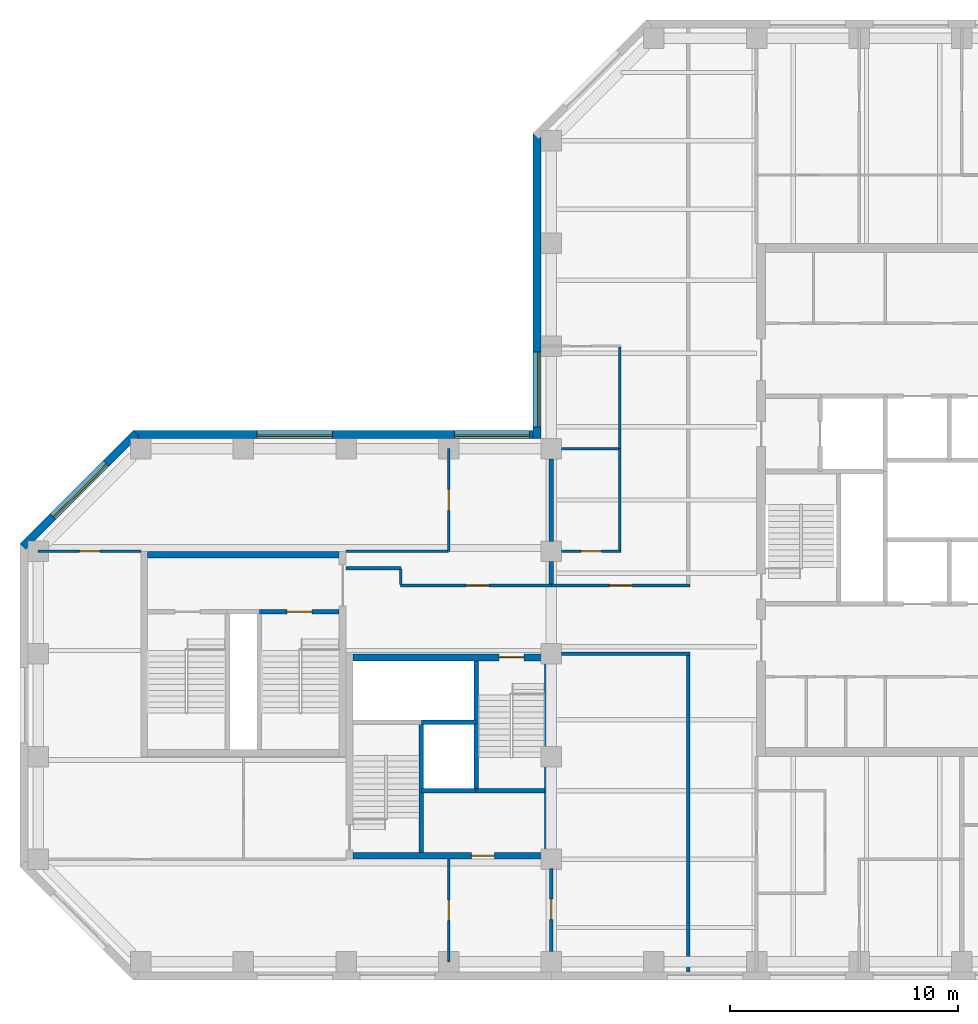
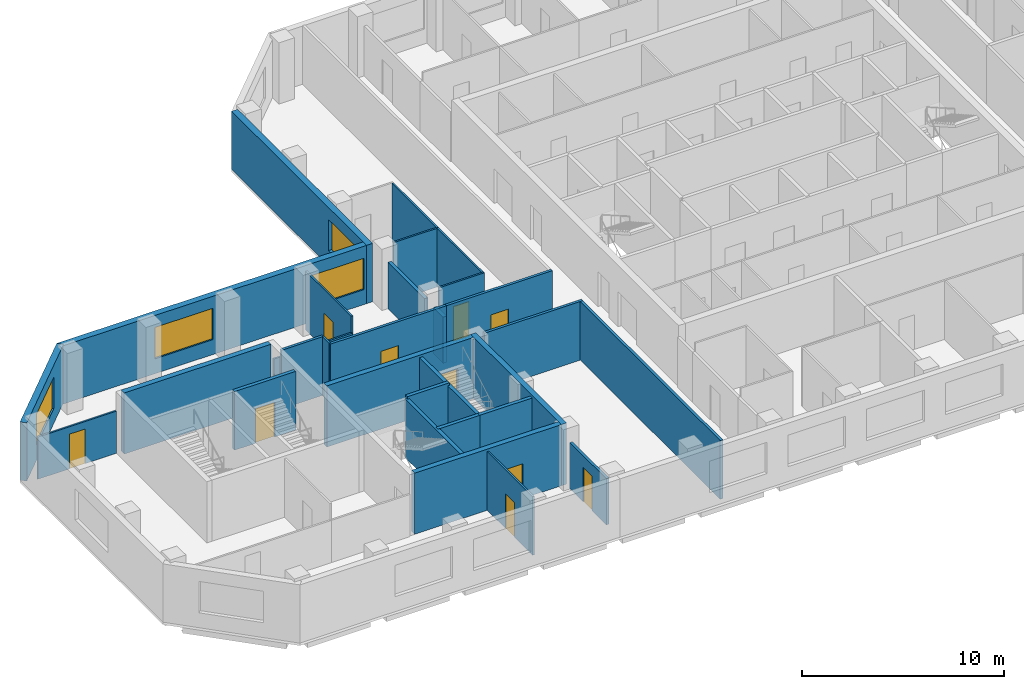
# One storey, part 3 of 9: 30 walls, 10 doors, 4 windows, 14 openings.
"""IFC4 building model written with IfcOpenShell, lengths in metres."""

from ifc_helpers import new_model, si_unit, direction, frame, frame_2d, origin, place, context, subcontext, project, spatial, rectangle, extrude, material, layer, layer_set, constituent, constituent_set, type_object, element, fill, save


model = new_model("IFC4")

# Units and contexts
model_context = context("Model", 3, precision=1e-05, world=origin(), true_north=direction((0.0, 1.0)))
body_context = subcontext(model_context, "Body", "Model", "MODEL_VIEW")
ifc_project = project(units=[si_unit("LENGTHUNIT", "METRE"), si_unit("AREAUNIT", "SQUARE_METRE"), si_unit("VOLUMEUNIT", "CUBIC_METRE"), si_unit("PLANEANGLEUNIT", "RADIAN"), si_unit("MASSUNIT", "GRAM", prefix="KILO")], contexts=[model_context])

# Site, building, storey
site_placement = place(None, origin())
site = spatial("IfcSite", under=ifc_project, at=site_placement, CompositionType="ELEMENT")
building_placement = place(site_placement, origin())
building = spatial("IfcBuilding", under=site, at=building_placement, Name="Quoin Convention Tower", CompositionType="ELEMENT")
storey_placement = place(building_placement, frame((0.0, 0.0, 237.800048828125)))
storey = spatial("IfcBuildingStorey", under=building, at=storey_placement, Name="L62", CompositionType="ELEMENT", Elevation=237.800048828125)

# Wall, opening, window
ifc_material_1 = material(Name="Brick masonry", Category="masonry")
ifc_layer_1 = layer(ifc_material_1, 0.35009765625)
ifc_layer_set_1 = layer_set([ifc_layer_1], Name="Brick masonry")
wall_type_1 = type_object("IfcWallType", Name="Brick facade wall", PredefinedType="STANDARD", material=ifc_layer_set_1)
wall_1_placement = place(storey_placement, frame((35.375, 76.831298828125, 0.0), z_axis=(0.0, 0.0, 1.0), x_axis=(0.0, -1.0, 0.0)))
wall_1 = element("IfcWall", 1, at=wall_1_placement, inside=storey, type_object=wall_type_1, Name="fw-L62-36000_76500", PredefinedType="STANDARD", context=body_context, shape_type="SweptSolid", body=[
    extrude(rectangle(XDim=13.38134765625, YDim=0.35009765625, at=frame_2d((6.690673828125, 0.0))), origin(), (0.0, 0.0, 1.0), 3.52490234375),
])
opening_1_placement = place(wall_1_placement, frame((9.581298828125, 0.0, 0.89990234375)))
opening_1 = element("IfcOpeningElement", 2, at=opening_1_placement, cuts=wall_1, Name="Opening W-02", PredefinedType="OPENING", context=body_context, shape_type="SweptSolid", body=[
    extrude(rectangle(XDim=3.300048828125, YDim=1.89990234375, at=frame_2d((1.64990234375, 0.949951171875))), frame((0.0, 0.18505859375, 0.0), z_axis=(0.0, -1.0, 0.0), x_axis=(1.0, 0.0, 0.0)), (0.0, 0.0, 1.0), 0.3701171875),
])
ifc_material_2 = material(Name="Aluminium", Category="aluminium")
ifc_constituent_1 = constituent(ifc_material_2, Name="Frame")
ifc_material_3 = material(Name="Insulated glass", Category="glass")
ifc_constituent_2 = constituent(ifc_material_3, Name="Glazing")
ifc_constituent_set = constituent_set(constituents=[ifc_constituent_1, ifc_constituent_2], Name="Aluminium")
window_type = type_object("IfcWindowType", Name="Office window", PartitioningType="DOUBLE_PANEL_VERTICAL", PredefinedType="WINDOW", material=ifc_constituent_set)
window_1_placement = place(opening_1_placement, origin())
window_1 = element("IfcWindow", 3, at=window_1_placement, inside=storey, type_object=window_type, Name="win-L62-35375_65250", OverallHeight=1.89990234375, OverallWidth=3.300048828125, PartitioningType="SINGLE_PANEL", PredefinedType="WINDOW", context=body_context, shape_type="SweptSolid", body=[
    extrude(rectangle(XDim=3.300048828125, YDim=1.89990234375, at=frame_2d((1.64990234375, 0.949951171875))), frame((0.0, 0.0849609375, 0.0), z_axis=(0.0, -1.0, 0.0), x_axis=(1.0, 0.0, 0.0)), (0.0, 0.0, 1.0), 0.06005859375),
])
fill(opening_1, window_1)

# Wall, openings, windows
wall_2_placement = place(storey_placement, frame((35.550048828125, 63.625, 0.0), z_axis=(0.0, 0.0, 1.0), x_axis=(-1.0, 0.0, 0.0)))
wall_2 = element("IfcWall", 4, at=wall_2_placement, inside=storey, type_object=wall_type_1, Name="fw-L62-36000_63000", PredefinedType="STANDARD", context=body_context, shape_type="SweptSolid", body=[
    extrude(rectangle(XDim=17.88134765625, YDim=0.35009765625, at=frame_2d((8.940673828125, 0.0))), origin(), (0.0, 0.0, 1.0), 3.52490234375),
])
opening_2_placement = place(wall_2_placement, frame((0.5, 0.0, 0.89990234375)))
opening_2 = element("IfcOpeningElement", 5, at=opening_2_placement, cuts=wall_2, Name="Opening W-02", PredefinedType="OPENING", context=body_context, shape_type="SweptSolid", body=[
    extrude(rectangle(XDim=3.300048828125, YDim=1.89990234375, at=frame_2d((1.64990234375, 0.949951171875))), frame((0.0, 0.18505859375, 0.0), z_axis=(0.0, -1.0, 0.0), x_axis=(1.0, 0.0, 0.0)), (0.0, 0.0, 1.0), 0.3701171875),
])
opening_3_placement = place(wall_2_placement, frame((9.14990234375, 0.0, 0.89990234375)))
opening_3 = element("IfcOpeningElement", 6, at=opening_3_placement, cuts=wall_2, Name="Opening W-02", PredefinedType="OPENING", context=body_context, shape_type="SweptSolid", body=[
    extrude(rectangle(XDim=3.300048828125, YDim=1.89990234375, at=frame_2d((1.64990234375, 0.949951171875))), frame((0.0, 0.18505859375, 0.0), z_axis=(0.0, -1.0, 0.0), x_axis=(1.0, 0.0, 0.0)), (0.0, 0.0, 1.0), 0.3701171875),
])
window_2_placement = place(opening_2_placement, origin())
window_2 = element("IfcWindow", 7, at=window_2_placement, inside=storey, type_object=window_type, Name="win-L62-33750_63625", OverallHeight=1.89990234375, OverallWidth=3.300048828125, PartitioningType="SINGLE_PANEL", PredefinedType="WINDOW", context=body_context, shape_type="SweptSolid", body=[
    extrude(rectangle(XDim=3.300048828125, YDim=1.89990234375, at=frame_2d((1.64990234375, 0.949951171875))), frame((0.0, 0.0849609375, 0.0), z_axis=(0.0, -1.0, 0.0), x_axis=(1.0, 0.0, 0.0)), (0.0, 0.0, 1.0), 0.06005859375),
])
fill(opening_2, window_2)
window_3_placement = place(opening_3_placement, origin())
window_3 = element("IfcWindow", 8, at=window_3_placement, inside=storey, type_object=window_type, Name="win-L62-24750_63625", OverallHeight=1.89990234375, OverallWidth=3.300048828125, PartitioningType="SINGLE_PANEL", PredefinedType="WINDOW", context=body_context, shape_type="SweptSolid", body=[
    extrude(rectangle(XDim=3.300048828125, YDim=1.89990234375, at=frame_2d((1.64990234375, 0.949951171875))), frame((0.0, 0.0849609375, 0.0), z_axis=(0.0, -1.0, 0.0), x_axis=(1.0, 0.0, 0.0)), (0.0, 0.0, 1.0), 0.06005859375),
])
fill(opening_3, window_3)

# Wall, opening, window
wall_3_placement = place(storey_placement, frame((17.79248046875, 63.67626953125, 0.0), z_axis=(0.0, 0.0, 1.0), x_axis=(-0.707106781187, -0.707106781187, 0.0)))
wall_3 = element("IfcWall", 9, at=wall_3_placement, inside=storey, type_object=wall_type_1, Name="fw-L62-18000_63000", PredefinedType="STANDARD", context=body_context, shape_type="SweptSolid", body=[
    extrude(rectangle(XDim=7.02685546875, YDim=0.35009765625, at=frame_2d((3.513427734375, 0.0))), origin(), (0.0, 0.0, 1.0), 3.52490234375),
])
opening_4_placement = place(wall_3_placement, frame((1.86328125, 0.0, 0.89990234375)))
opening_4 = element("IfcOpeningElement", 10, at=opening_4_placement, cuts=wall_3, Name="Opening W-02", PredefinedType="OPENING", context=body_context, shape_type="SweptSolid", body=[
    extrude(rectangle(XDim=3.300048828125, YDim=1.89990234375, at=frame_2d((1.64990234375, 0.949951171875))), frame((0.0, 0.18505859375, 0.0), z_axis=(0.0, -1.0, 0.0), x_axis=(1.0, 0.0, 0.0)), (0.0, 0.0, 1.0), 0.3701171875),
])
window_4_placement = place(opening_4_placement, origin())
window_4 = element("IfcWindow", 11, at=window_4_placement, inside=storey, type_object=window_type, Name="win-L62-15308_61192", OverallHeight=1.89990234375, OverallWidth=3.300048828125, PartitioningType="SINGLE_PANEL", PredefinedType="WINDOW", context=body_context, shape_type="SweptSolid", body=[
    extrude(rectangle(XDim=3.300048828125, YDim=1.89990234375, at=frame_2d((1.64990234375, 0.949951171875))), frame((0.0, 0.0849609375, 0.0), z_axis=(0.0, -1.0, 0.0), x_axis=(1.0, 0.0, 0.0)), (0.0, 0.0, 1.0), 0.06005859375),
])
fill(opening_4, window_4)

# Walls
ifc_material_4 = material(Name="Concrete C50", Category="concrete")
ifc_layer_2 = layer(ifc_material_4, 0.199951171875)
ifc_layer_set_2 = layer_set([ifc_layer_2], Name="Concrete C50")
wall_type_2 = type_object("IfcWallType", Name="Core shaft wall", PredefinedType="SOLIDWALL", material=ifc_layer_set_2)
wall_4_placement = place(storey_placement, frame((30.300048828125, 48.0, 0.0), z_axis=(0.0, 0.0, 1.0), x_axis=(1.0, 0.0, 0.0)))
element("IfcWall", 12, at=wall_4_placement, inside=storey, type_object=wall_type_2, Name="cr-P2-L62-h3000_3300", PredefinedType="SOLIDWALL", context=body_context, shape_type="SweptSolid", body=[
    extrude(rectangle(XDim=2.39990234375, YDim=0.199951171875, at=frame_2d((1.199951171875, 0.0))), origin(), (0.0, 0.0, 1.0), 3.550048828125),
])
wall_5_placement = place(storey_placement, frame((32.699951171875, 48.0, 0.0), z_axis=(0.0, 0.0, 1.0), x_axis=(1.0, 0.0, 0.0)))
element("IfcWall", 13, at=wall_5_placement, inside=storey, type_object=wall_type_2, Name="cr-P2-L62-h3000_5700", PredefinedType="SOLIDWALL", context=body_context, shape_type="SweptSolid", body=[
    extrude(rectangle(XDim=3.0, YDim=0.199951171875, at=frame_2d((1.5, 0.0))), origin(), (0.0, 0.0, 1.0), 3.550048828125),
])
for number, where, z_axis, x_axis, name in (
    (14, (30.300048828125, 45.300048828125, 0.0), (0.0, 0.0, 1.0), (0.0, 1.0, 0.0), "cr-P2-L62-v3300_300"),
    (15, (32.699951171875, 48.0, 0.0), (0.0, 0.0, 1.0), (0.0, 1.0, 0.0), "cr-P2-L62-v5700_3000"),
):
    element("IfcWall", number, at=place(storey_placement, frame(where, z_axis=z_axis, x_axis=x_axis)), inside=storey, type_object=wall_type_2, Name=name, PredefinedType="SOLIDWALL", context=body_context, shape_type="SweptSolid", body=[
        extrude(rectangle(XDim=5.699951171875, YDim=0.199951171875, at=frame_2d((2.85009765625, 0.0))), origin(), (0.0, 0.0, 1.0), 3.550048828125),
    ])

# Wall, opening, door
wall_6_placement = place(storey_placement, frame((23.199951171875, 55.85009765625, 0.0), z_axis=(0.0, 0.0, 1.0), x_axis=(1.0, 0.0, 0.0)))
wall_6 = element("IfcWall", 16, at=wall_6_placement, inside=storey, type_object=wall_type_2, Name="cr-P6-L62-h6350_5200", PredefinedType="SOLIDWALL", context=body_context, shape_type="SweptSolid", body=[
    extrude(rectangle(XDim=3.5, YDim=0.199951171875, at=frame_2d((1.75, 0.0))), origin(), (0.0, 0.0, 1.0), 3.550048828125),
])
opening_5_placement = place(wall_6_placement, frame((1.199951171875, 0.0, 0.0)))
opening_5 = element("IfcOpeningElement", 17, at=opening_5_placement, cuts=wall_6, Name="Opening SD12", PredefinedType="OPENING", context=body_context, shape_type="SweptSolid", body=[
    extrude(rectangle(XDim=1.10009765625, YDim=2.10009765625, at=frame_2d((0.550048828125, 1.050048828125))), frame((0.0, 0.10986328125, 0.0), z_axis=(0.0, -1.0, 0.0), x_axis=(1.0, 0.0, 0.0)), (0.0, 0.0, 1.0), 0.219970703125),
])
ifc_material_5 = material(Name="Steel door leaf", Category="steel")
door_type_1 = type_object("IfcDoorType", Name="Stair door 1100 x 2100", OperationType="SINGLE_SWING_RIGHT", PredefinedType="DOOR", material=ifc_material_5)
door_1_placement = place(opening_5_placement, origin())
door_1 = element("IfcDoor", 18, at=door_1_placement, inside=storey, type_object=door_type_1, Name="cd-P6-L62-SB-R2-SD12", OperationType="SINGLE_SWING_RIGHT", OverallHeight=2.10009765625, OverallWidth=1.10009765625, PredefinedType="DOOR", context=body_context, shape_type="SweptSolid", body=[
    extrude(rectangle(XDim=1.10009765625, YDim=2.10009765625, at=frame_2d((0.550048828125, 1.050048828125))), frame((0.0, 0.02490234375, 0.0), z_axis=(0.0, -1.0, 0.0), x_axis=(1.0, 0.0, 0.0)), (0.0, 0.0, 1.0), 0.050048828125),
])
fill(opening_5, door_1)

# Walls
ifc_layer_3 = layer(ifc_material_4, 0.199951171875)
ifc_layer_set_3 = layer_set([ifc_layer_3], Name="Concrete C50")
wall_type_3 = type_object("IfcWallType", Name="Core shaft wall to the floor level over", PredefinedType="SOLIDWALL", material=ifc_layer_set_3)
wall_7_placement = place(storey_placement, frame((30.300048828125, 51.0, 0.0), z_axis=(0.0, 0.0, 1.0), x_axis=(1.0, 0.0, 0.0)))
element("IfcWall", 19, at=wall_7_placement, inside=storey, type_object=wall_type_3, Name="cr-P2-L62-h6000_3300", PredefinedType="SOLIDWALL", context=body_context, shape_type="SweptSolid", body=[
    extrude(rectangle(XDim=2.39990234375, YDim=0.199951171875, at=frame_2d((1.199951171875, 0.0))), origin(), (0.0, 0.0, 1.0), 3.699951171875),
])
ifc_material_6 = material(Name="Plasterboard")
ifc_layer_4 = layer(ifc_material_6, 0.012451171875, Name="Finish")
ifc_material_7 = material(Name="Steel stud framing", Category="steel")
ifc_layer_5 = layer(ifc_material_7, 0.125, Name="Structure")
ifc_layer_6 = layer(ifc_material_6, 0.012451171875, Name="Finish")
ifc_layer_set_4 = layer_set([ifc_layer_4, ifc_layer_5, ifc_layer_6], Name="Steel stud framing")
wall_type_4 = type_object("IfcWallType", Name="Corridor wall 150", PredefinedType="PARTITIONING", material=ifc_layer_set_4)
wall_8_placement = place(storey_placement, frame((36.449951171875, 54.0, 0.0), z_axis=(0.0, 0.0, 1.0), x_axis=(1.0, 0.0, 0.0)))
element("IfcWall", 20, at=wall_8_placement, inside=storey, type_object=wall_type_4, Name="pw-L62-016", PredefinedType="PARTITIONING", context=body_context, shape_type="SweptSolid", body=[
    extrude(rectangle(XDim=5.625, YDim=0.14990234375, at=frame_2d((2.8125, 0.0))), origin(), (0.0, 0.0, 1.0), 3.550048828125),
])

# Wall, opening, door
wall_9_placement = place(storey_placement, frame((29.3798828125, 57.0, 0.0), z_axis=(0.0, 0.0, 1.0), x_axis=(1.0, 0.0, 0.0)))
wall_9 = element("IfcWall", 21, at=wall_9_placement, inside=storey, type_object=wall_type_4, Name="pw-L62-018", PredefinedType="PARTITIONING", context=body_context, shape_type="SweptSolid", body=[
    extrude(rectangle(XDim=6.6201171875, YDim=0.14990234375, at=frame_2d((3.31005859375, 0.0))), origin(), (0.0, 0.0, 1.0), 3.550048828125),
])
opening_6_placement = place(wall_9_placement, frame((2.8798828125, 0.0, 0.0)))
opening_6 = element("IfcOpeningElement", 22, at=opening_6_placement, cuts=wall_9, Name="Opening DOH11-03", PredefinedType="OPENING", context=body_context, shape_type="SweptSolid", body=[
    extrude(rectangle(XDim=1.0, YDim=2.10009765625, at=frame_2d((0.5, 1.050048828125))), frame((0.0, 0.0849609375, 0.0), z_axis=(0.0, -1.0, 0.0), x_axis=(1.0, 0.0, 0.0)), (0.0, 0.0, 1.0), 0.169921875),
])
door_type_2 = type_object("IfcDoorType", Name="Tenancy entrance door 1000 x 2100", OperationType="DOUBLE_DOOR_SINGLE_SWING", PredefinedType="DOOR", material=ifc_material_5)
door_2_placement = place(opening_6_placement, origin())
door_2 = element("IfcDoor", 23, at=door_2_placement, inside=storey, type_object=door_type_2, Name="dr-L62-w01", OperationType="DOUBLE_DOOR_SINGLE_SWING", OverallHeight=2.10009765625, OverallWidth=1.0, PredefinedType="DOOR", context=body_context, shape_type="SweptSolid", body=[
    extrude(rectangle(XDim=1.0, YDim=2.10009765625, at=frame_2d((0.5, 1.050048828125))), frame((0.0, 0.02490234375, 0.0), z_axis=(0.0, -1.0, 0.0), x_axis=(1.0, 0.0, 0.0)), (0.0, 0.0, 1.0), 0.050048828125),
])
fill(opening_6, door_2)

wall_10_placement = place(storey_placement, frame((36.0, 57.0, 0.0), z_axis=(0.0, 0.0, 1.0), x_axis=(1.0, 0.0, 0.0)))
wall_10 = element("IfcWall", 24, at=wall_10_placement, inside=storey, type_object=wall_type_4, Name="pw-L62-019", PredefinedType="PARTITIONING", context=body_context, shape_type="SweptSolid", body=[
    extrude(rectangle(XDim=6.074951171875, YDim=0.14990234375, at=frame_2d((3.03759765625, 0.0))), origin(), (0.0, 0.0, 1.0), 3.550048828125),
])
opening_7_placement = place(wall_10_placement, frame((2.550048828125, 0.0, 0.0)))
opening_7 = element("IfcOpeningElement", 25, at=opening_7_placement, cuts=wall_10, Name="Opening DOH11-04", PredefinedType="OPENING", context=body_context, shape_type="SweptSolid", body=[
    extrude(rectangle(XDim=1.0, YDim=2.10009765625, at=frame_2d((0.5, 1.050048828125))), frame((0.0, 0.0849609375, 0.0), z_axis=(0.0, -1.0, 0.0), x_axis=(1.0, 0.0, 0.0)), (0.0, 0.0, 1.0), 0.169921875),
])
door_3_placement = place(opening_7_placement, origin())
door_3 = element("IfcDoor", 26, at=door_3_placement, inside=storey, type_object=door_type_2, Name="dr-L62-07", OperationType="DOUBLE_DOOR_SINGLE_SWING", OverallHeight=2.10009765625, OverallWidth=1.0, PredefinedType="DOOR", context=body_context, shape_type="SweptSolid", body=[
    extrude(rectangle(XDim=1.0, YDim=2.10009765625, at=frame_2d((0.5, 1.050048828125))), frame((0.0, 0.02490234375, 0.0), z_axis=(0.0, -1.0, 0.0), x_axis=(1.0, 0.0, 0.0)), (0.0, 0.0, 1.0), 0.050048828125),
])
fill(opening_7, door_3)

# Walls
wall_11_placement = place(storey_placement, frame((42.0, 40.050048828125, 0.0), z_axis=(0.0, 0.0, 1.0), x_axis=(0.0, 1.0, 0.0)))
element("IfcWall", 27, at=wall_11_placement, inside=storey, type_object=wall_type_4, Name="pw-L62-035", PredefinedType="PARTITIONING", context=body_context, shape_type="SweptSolid", body=[
    extrude(rectangle(XDim=13.875, YDim=0.14990234375, at=frame_2d((6.9375, 0.0))), origin(), (0.0, 0.0, 1.0), 3.550048828125),
])
wall_12_placement = place(storey_placement, frame((27.0, 57.75, 0.0), z_axis=(0.0, 0.0, 1.0), x_axis=(1.0, 0.0, 0.0)))
element("IfcWall", 28, at=wall_12_placement, inside=storey, type_object=wall_type_4, Name="pw-L62-w08", PredefinedType="PARTITIONING", context=body_context, shape_type="SweptSolid", body=[
    extrude(rectangle(XDim=2.39990234375, YDim=0.14990234375, at=frame_2d((1.199951171875, 0.0))), origin(), (0.0, 0.0, 1.0), 3.550048828125),
])

# Wall, opening, door
ifc_layer_7 = layer(ifc_material_6, 0.012451171875, Name="Finish")
ifc_layer_8 = layer(ifc_material_7, 0.125, Name="Structure")
ifc_layer_9 = layer(ifc_material_6, 0.012451171875, Name="Finish")
ifc_layer_set_5 = layer_set([ifc_layer_7, ifc_layer_8, ifc_layer_9], Name="Steel stud framing")
wall_type_5 = type_object("IfcWallType", Name="Corridor wall 150 under beam 750", PredefinedType="PARTITIONING", material=ifc_layer_set_5)
wall_13_placement = place(storey_placement, frame((36.0, 40.949951171875, 0.0), z_axis=(0.0, 0.0, 1.0), x_axis=(0.0, 1.0, 0.0)))
wall_13 = element("IfcWall", 29, at=wall_13_placement, inside=storey, type_object=wall_type_5, Name="pw-L62-043", PredefinedType="PARTITIONING", context=body_context, shape_type="SweptSolid", body=[
    extrude(rectangle(XDim=3.630126953125, YDim=0.14990234375, at=frame_2d((1.81494140625, 0.0))), origin(), (0.0, 0.0, 1.0), 2.800048828125),
])
opening_8_placement = place(wall_13_placement, frame((1.39990234375, 0.0, 0.0)))
opening_8 = element("IfcOpeningElement", 30, at=opening_8_placement, cuts=wall_13, Name="Opening DOH11-11", PredefinedType="OPENING", context=body_context, shape_type="SweptSolid", body=[
    extrude(rectangle(XDim=0.89990234375, YDim=2.10009765625, at=frame_2d((0.449951171875, 1.050048828125))), frame((0.0, 0.0849609375, 0.0), z_axis=(0.0, -1.0, 0.0), x_axis=(1.0, 0.0, 0.0)), (0.0, 0.0, 1.0), 0.169921875),
])
door_type_3 = type_object("IfcDoorType", Name="Office door 900 x 2100", OperationType="SINGLE_SWING_RIGHT", PredefinedType="DOOR", material=ifc_material_5)
door_4_placement = place(opening_8_placement, frame((0.89990234375, 0.0, 0.0), z_axis=(0.0, 0.0, 1.0), x_axis=(-1.0, 0.0, 0.0)))
door_4 = element("IfcDoor", 31, at=door_4_placement, inside=storey, type_object=door_type_3, Name="dr-L62-01", OperationType="SINGLE_SWING_LEFT", OverallHeight=2.10009765625, OverallWidth=0.89990234375, PredefinedType="DOOR", context=body_context, shape_type="SweptSolid", body=[
    extrude(rectangle(XDim=0.89990234375, YDim=2.10009765625, at=frame_2d((0.449951171875, 1.050048828125))), frame((0.0, 0.02490234375, 0.0), z_axis=(0.0, -1.0, 0.0), x_axis=(1.0, 0.0, 0.0)), (0.0, 0.0, 1.0), 0.050048828125),
])
fill(opening_8, door_4)

ifc_layer_10 = layer(ifc_material_4, 0.300048828125)
ifc_layer_set_6 = layer_set([ifc_layer_10], Name="Concrete C50")
wall_type_6 = type_object("IfcWallType", Name="RC CORE WALL 300 C50", PredefinedType="SHEAR", material=ifc_layer_set_6)
wall_14_placement = place(storey_placement, frame((27.300048828125, 45.14990234375, 0.0), z_axis=(0.0, 0.0, 1.0), x_axis=(1.0, 0.0, 0.0)))
wall_14 = element("IfcWall", 32, at=wall_14_placement, inside=storey, type_object=wall_type_6, Name="cwl-P2-L62-S", PredefinedType="SHEAR", context=body_context, shape_type="SweptSolid", body=[
    extrude(rectangle(XDim=8.39990234375, YDim=0.300048828125, at=frame_2d((4.199951171875, 0.0))), origin(), (0.0, 0.0, 1.0), 3.699951171875),
])
opening_9_placement = place(wall_14_placement, frame((5.199951171875, 0.0, 0.0)))
opening_9 = element("IfcOpeningElement", 33, at=opening_9_placement, cuts=wall_14, Name="Opening DCV3-41", PredefinedType="OPENING", context=body_context, shape_type="SweptSolid", body=[
    extrude(rectangle(XDim=1.0, YDim=2.10009765625, at=frame_2d((0.5, 1.050048828125))), frame((0.0, 0.159912109375, 0.0), z_axis=(0.0, -1.0, 0.0), x_axis=(1.0, 0.0, 0.0)), (0.0, 0.0, 1.0), 0.320068359375),
])
door_type_4 = type_object("IfcDoorType", Name="Service door 1000 x 2100", OperationType="SINGLE_SWING_LEFT", PredefinedType="DOOR", material=ifc_material_5)
door_5_placement = place(opening_9_placement, frame((1.0, 0.0, 0.0), z_axis=(0.0, 0.0, 1.0), x_axis=(-1.0, 0.0, 0.0)))
door_5 = element("IfcDoor", 34, at=door_5_placement, inside=storey, type_object=door_type_4, Name="cd-P2-L62-R2-S", OperationType="SINGLE_SWING_RIGHT", OverallHeight=2.10009765625, OverallWidth=1.0, PredefinedType="DOOR", context=body_context, shape_type="SweptSolid", body=[
    extrude(rectangle(XDim=1.0, YDim=2.10009765625, at=frame_2d((0.5, 1.050048828125))), frame((0.0, 0.02490234375, 0.0), z_axis=(0.0, -1.0, 0.0), x_axis=(1.0, 0.0, 0.0)), (0.0, 0.0, 1.0), 0.050048828125),
])
fill(opening_9, door_5)

wall_15_placement = place(storey_placement, frame((27.300048828125, 53.85009765625, 0.0), z_axis=(0.0, 0.0, 1.0), x_axis=(1.0, 0.0, 0.0)))
wall_15 = element("IfcWall", 35, at=wall_15_placement, inside=storey, type_object=wall_type_6, Name="cwl-P2-L62-N", PredefinedType="SHEAR", context=body_context, shape_type="SweptSolid", body=[
    extrude(rectangle(XDim=8.39990234375, YDim=0.300048828125, at=frame_2d((4.199951171875, 0.0))), origin(), (0.0, 0.0, 1.0), 3.699951171875),
])
opening_10_placement = place(wall_15_placement, frame((6.39990234375, 0.0, 0.0)))
opening_10 = element("IfcOpeningElement", 36, at=opening_10_placement, cuts=wall_15, Name="Opening SD4", PredefinedType="OPENING", context=body_context, shape_type="SweptSolid", body=[
    extrude(rectangle(XDim=1.10009765625, YDim=2.10009765625, at=frame_2d((0.550048828125, 1.050048828125))), frame((0.0, 0.159912109375, 0.0), z_axis=(0.0, -1.0, 0.0), x_axis=(1.0, 0.0, 0.0)), (0.0, 0.0, 1.0), 0.320068359375),
])
door_6_placement = place(opening_10_placement, frame((1.10009765625, 0.0, 0.0), z_axis=(0.0, 0.0, 1.0), x_axis=(-1.0, 0.0, 0.0)))
door_6 = element("IfcDoor", 37, at=door_6_placement, inside=storey, type_object=door_type_1, Name="cd-P2-L62-SB-N", OperationType="SINGLE_SWING_LEFT", OverallHeight=2.10009765625, OverallWidth=1.10009765625, PredefinedType="DOOR", context=body_context, shape_type="SweptSolid", body=[
    extrude(rectangle(XDim=1.10009765625, YDim=2.10009765625, at=frame_2d((0.550048828125, 1.050048828125))), frame((0.0, 0.02490234375, 0.0), z_axis=(0.0, -1.0, 0.0), x_axis=(1.0, 0.0, 0.0)), (0.0, 0.0, 1.0), 0.050048828125),
])
fill(opening_10, door_6)

# Walls
wall_16_placement = place(storey_placement, frame((35.85009765625, 45.0, 0.0), z_axis=(0.0, 0.0, 1.0), x_axis=(0.0, 1.0, 0.0)))
element("IfcWall", 38, at=wall_16_placement, inside=storey, type_object=wall_type_6, Name="cwl-P2-L62-E", PredefinedType="SHEAR", context=body_context, shape_type="SweptSolid", body=[
    extrude(rectangle(XDim=9.0, YDim=0.300048828125, at=frame_2d((4.5, 0.0))), origin(), (0.0, 0.0, 1.0), 3.699951171875),
])
wall_17_placement = place(storey_placement, frame((18.300048828125, 58.35009765625, 0.0), z_axis=(0.0, 0.0, 1.0), x_axis=(1.0, 0.0, 0.0)))
element("IfcWall", 39, at=wall_17_placement, inside=storey, type_object=wall_type_6, Name="cwl-P6-L62-N", PredefinedType="SHEAR", context=body_context, shape_type="SweptSolid", body=[
    extrude(rectangle(XDim=8.39990234375, YDim=0.300048828125, at=frame_2d((4.199951171875, 0.0))), origin(), (0.0, 0.0, 1.0), 3.699951171875),
])

# Wall, opening, door
ifc_layer_11 = layer(ifc_material_6, 0.012451171875, Name="Finish")
ifc_layer_12 = layer(ifc_material_7, 0.074951171875, Name="Structure")
ifc_layer_13 = layer(ifc_material_6, 0.012451171875, Name="Finish")
ifc_layer_set_7 = layer_set([ifc_layer_11, ifc_layer_12, ifc_layer_13], Name="Steel stud framing")
wall_type_7 = type_object("IfcWallType", Name="Stud partition 100", PredefinedType="PARTITIONING", material=ifc_layer_set_7)
wall_18_placement = place(storey_placement, frame((36.449951171875, 58.5, 0.0), z_axis=(0.0, 0.0, 1.0), x_axis=(1.0, 0.0, 0.0)))
wall_18 = element("IfcWall", 40, at=wall_18_placement, inside=storey, type_object=wall_type_7, Name="pw-L62-020", PredefinedType="PARTITIONING", context=body_context, shape_type="SweptSolid", body=[
    extrude(rectangle(XDim=2.60009765625, YDim=0.10009765625, at=frame_2d((1.300048828125, 0.0))), origin(), (0.0, 0.0, 1.0), 3.550048828125),
])
opening_11_placement = place(wall_18_placement, frame((0.85009765625, 0.0, 0.0)))
opening_11 = element("IfcOpeningElement", 41, at=opening_11_placement, cuts=wall_18, Name="Opening DOH11-05", PredefinedType="OPENING", context=body_context, shape_type="SweptSolid", body=[
    extrude(rectangle(XDim=0.89990234375, YDim=2.10009765625, at=frame_2d((0.449951171875, 1.050048828125))), frame((0.0, 0.06005859375, 0.0), z_axis=(0.0, -1.0, 0.0), x_axis=(1.0, 0.0, 0.0)), (0.0, 0.0, 1.0), 0.1201171875),
])
door_7_placement = place(opening_11_placement, frame((0.89990234375, 0.0, 0.0), z_axis=(0.0, 0.0, 1.0), x_axis=(-1.0, 0.0, 0.0)))
door_7 = element("IfcDoor", 42, at=door_7_placement, inside=storey, type_object=door_type_3, Name="dr-L62-08", OperationType="SINGLE_SWING_LEFT", OverallHeight=2.10009765625, OverallWidth=0.89990234375, PredefinedType="DOOR", context=body_context, shape_type="SweptSolid", body=[
    extrude(rectangle(XDim=0.89990234375, YDim=2.10009765625, at=frame_2d((0.449951171875, 1.050048828125))), frame((0.0, 0.02490234375, 0.0), z_axis=(0.0, -1.0, 0.0), x_axis=(1.0, 0.0, 0.0)), (0.0, 0.0, 1.0), 0.050048828125),
])
fill(opening_11, door_7)

# Walls
wall_19_placement = place(storey_placement, frame((36.449951171875, 63.0, 0.0), z_axis=(0.0, 0.0, 1.0), x_axis=(1.0, 0.0, 0.0)))
element("IfcWall", 43, at=wall_19_placement, inside=storey, type_object=wall_type_7, Name="pw-L62-023", PredefinedType="PARTITIONING", context=body_context, shape_type="SweptSolid", body=[
    extrude(rectangle(XDim=2.5, YDim=0.10009765625, at=frame_2d((1.25, 0.0))), origin(), (0.0, 0.0, 1.0), 3.550048828125),
])
for number, where, z_axis, x_axis, name in (
    (44, (39.0, 58.550048828125, 0.0), (0.0, 0.0, 1.0), (0.0, 1.0, 0.0), "pw-L62-063"),
    (45, (39.0, 63.0, 0.0), (0.0, 0.0, 1.0), (0.0, 1.0, 0.0), "pw-L62-067"),
):
    element("IfcWall", number, at=place(storey_placement, frame(where, z_axis=z_axis, x_axis=x_axis)), inside=storey, type_object=wall_type_7, Name=name, PredefinedType="PARTITIONING", context=body_context, shape_type="SweptSolid", body=[
        extrude(rectangle(XDim=4.449951171875, YDim=0.10009765625, at=frame_2d((2.22509765625, 0.0))), origin(), (0.0, 0.0, 1.0), 3.550048828125),
    ])

# Wall, opening, door
wall_20_placement = place(storey_placement, frame((31.5, 63.0, 0.0), z_axis=(0.0, 0.0, 1.0), x_axis=(0.0, -1.0, 0.0)))
wall_20 = element("IfcWall", 46, at=wall_20_placement, inside=storey, type_object=wall_type_7, Name="pw-L62-w01", PredefinedType="PARTITIONING", context=body_context, shape_type="SweptSolid", body=[
    extrude(rectangle(XDim=4.5, YDim=0.10009765625, at=frame_2d((2.25, 0.0))), origin(), (0.0, 0.0, 1.0), 3.550048828125),
])
opening_12_placement = place(wall_20_placement, frame((1.800048828125, 0.0, 0.0)))
opening_12 = element("IfcOpeningElement", 47, at=opening_12_placement, cuts=wall_20, Name="Opening DOH11-28", PredefinedType="OPENING", context=body_context, shape_type="SweptSolid", body=[
    extrude(rectangle(XDim=0.89990234375, YDim=2.10009765625, at=frame_2d((0.449951171875, 1.050048828125))), frame((0.0, 0.06005859375, 0.0), z_axis=(0.0, -1.0, 0.0), x_axis=(1.0, 0.0, 0.0)), (0.0, 0.0, 1.0), 0.1201171875),
])
door_8_placement = place(opening_12_placement, frame((0.89990234375, 0.0, 0.0), z_axis=(0.0, 0.0, 1.0), x_axis=(-1.0, 0.0, 0.0)))
door_8 = element("IfcDoor", 48, at=door_8_placement, inside=storey, type_object=door_type_3, Name="dr-L62-w02", OperationType="SINGLE_SWING_LEFT", OverallHeight=2.10009765625, OverallWidth=0.89990234375, PredefinedType="DOOR", context=body_context, shape_type="SweptSolid", body=[
    extrude(rectangle(XDim=0.89990234375, YDim=2.10009765625, at=frame_2d((0.449951171875, 1.050048828125))), frame((0.0, 0.02490234375, 0.0), z_axis=(0.0, -1.0, 0.0), x_axis=(1.0, 0.0, 0.0)), (0.0, 0.0, 1.0), 0.050048828125),
])
fill(opening_12, door_8)

wall_21_placement = place(storey_placement, frame((31.5, 45.0, 0.0), z_axis=(0.0, 0.0, 1.0), x_axis=(0.0, -1.0, 0.0)))
wall_21 = element("IfcWall", 49, at=wall_21_placement, inside=storey, type_object=wall_type_7, Name="pw-L62-w07", PredefinedType="PARTITIONING", context=body_context, shape_type="SweptSolid", body=[
    extrude(rectangle(XDim=4.5, YDim=0.10009765625, at=frame_2d((2.25, 0.0))), origin(), (0.0, 0.0, 1.0), 3.550048828125),
])
opening_13_placement = place(wall_21_placement, frame((1.800048828125, 0.0, 0.0)))
opening_13 = element("IfcOpeningElement", 50, at=opening_13_placement, cuts=wall_21, Name="Opening DOH11-32", PredefinedType="OPENING", context=body_context, shape_type="SweptSolid", body=[
    extrude(rectangle(XDim=0.89990234375, YDim=2.10009765625, at=frame_2d((0.449951171875, 1.050048828125))), frame((0.0, 0.06005859375, 0.0), z_axis=(0.0, -1.0, 0.0), x_axis=(1.0, 0.0, 0.0)), (0.0, 0.0, 1.0), 0.1201171875),
])
door_9_placement = place(opening_13_placement, frame((0.89990234375, 0.0, 0.0), z_axis=(0.0, 0.0, 1.0), x_axis=(-1.0, 0.0, 0.0)))
door_9 = element("IfcDoor", 51, at=door_9_placement, inside=storey, type_object=door_type_3, Name="dr-L62-w06", OperationType="SINGLE_SWING_RIGHT", OverallHeight=2.10009765625, OverallWidth=0.89990234375, PredefinedType="DOOR", context=body_context, shape_type="SweptSolid", body=[
    extrude(rectangle(XDim=0.89990234375, YDim=2.10009765625, at=frame_2d((0.449951171875, 1.050048828125))), frame((0.0, 0.02490234375, 0.0), z_axis=(0.0, -1.0, 0.0), x_axis=(1.0, 0.0, 0.0)), (0.0, 0.0, 1.0), 0.050048828125),
])
fill(opening_13, door_9)

# Walls
wall_22_placement = place(storey_placement, frame((29.39990234375, 57.715087890625, 0.0), z_axis=(0.0, 0.0, 1.0), x_axis=(0.0, -1.0, 0.0)))
element("IfcWall", 52, at=wall_22_placement, inside=storey, type_object=wall_type_7, Name="pw-L62-w09", PredefinedType="PARTITIONING", context=body_context, shape_type="SweptSolid", body=[
    extrude(rectangle(XDim=0.68017578125, YDim=0.10009765625, at=frame_2d((0.340087890625, 0.0))), origin(), (0.0, 0.0, 1.0), 3.550048828125),
])
ifc_layer_14 = layer(ifc_material_6, 0.012451171875, Name="Finish")
ifc_layer_15 = layer(ifc_material_7, 0.074951171875, Name="Structure")
ifc_layer_16 = layer(ifc_material_6, 0.012451171875, Name="Finish")
ifc_layer_set_8 = layer_set([ifc_layer_14, ifc_layer_15, ifc_layer_16], Name="Steel stud framing")
wall_type_8 = type_object("IfcWallType", Name="Stud partition 100 under beam 1000", PredefinedType="PARTITIONING", material=ifc_layer_set_8)
wall_23_placement = place(storey_placement, frame((31.5, 58.5, 0.0), z_axis=(0.0, 0.0, 1.0), x_axis=(-1.0, 0.0, 0.0)))
element("IfcWall", 53, at=wall_23_placement, inside=storey, type_object=wall_type_8, Name="pw-L62-w02", PredefinedType="PARTITIONING", context=body_context, shape_type="SweptSolid", body=[
    extrude(rectangle(XDim=4.5, YDim=0.10009765625, at=frame_2d((2.25, 0.0))), origin(), (0.0, 0.0, 1.0), 2.550048828125),
])

# Wall, opening, door
wall_24_placement = place(storey_placement, frame((13.5, 58.5, 0.0), z_axis=(0.0, 0.0, 1.0), x_axis=(1.0, 0.0, 0.0)))
wall_24 = element("IfcWall", 54, at=wall_24_placement, inside=storey, type_object=wall_type_8, Name="pw-L62-w03", PredefinedType="PARTITIONING", context=body_context, shape_type="SweptSolid", body=[
    extrude(rectangle(XDim=4.5, YDim=0.10009765625, at=frame_2d((2.25, 0.0))), origin(), (0.0, 0.0, 1.0), 2.550048828125),
])
opening_14_placement = place(wall_24_placement, frame((1.800048828125, 0.0, 0.0)))
opening_14 = element("IfcOpeningElement", 55, at=opening_14_placement, cuts=wall_24, Name="Opening DOH11-29", PredefinedType="OPENING", context=body_context, shape_type="SweptSolid", body=[
    extrude(rectangle(XDim=0.89990234375, YDim=2.10009765625, at=frame_2d((0.449951171875, 1.050048828125))), frame((0.0, 0.06005859375, 0.0), z_axis=(0.0, -1.0, 0.0), x_axis=(1.0, 0.0, 0.0)), (0.0, 0.0, 1.0), 0.1201171875),
])
door_10_placement = place(opening_14_placement, frame((0.89990234375, 0.0, 0.0), z_axis=(0.0, 0.0, 1.0), x_axis=(-1.0, 0.0, 0.0)))
door_10 = element("IfcDoor", 56, at=door_10_placement, inside=storey, type_object=door_type_3, Name="dr-L62-w03", OperationType="SINGLE_SWING_LEFT", OverallHeight=2.10009765625, OverallWidth=0.89990234375, PredefinedType="DOOR", context=body_context, shape_type="SweptSolid", body=[
    extrude(rectangle(XDim=0.89990234375, YDim=2.10009765625, at=frame_2d((0.449951171875, 1.050048828125))), frame((0.0, 0.02490234375, 0.0), z_axis=(0.0, -1.0, 0.0), x_axis=(1.0, 0.0, 0.0)), (0.0, 0.0, 1.0), 0.050048828125),
])
fill(opening_14, door_10)

# Walls
ifc_layer_17 = layer(ifc_material_6, 0.012451171875, Name="Finish")
ifc_layer_18 = layer(ifc_material_7, 0.175048828125, Name="Structure")
ifc_layer_19 = layer(ifc_material_6, 0.012451171875, Name="Finish")
ifc_layer_set_9 = layer_set([ifc_layer_17, ifc_layer_18, ifc_layer_19], Name="Steel stud framing")
wall_type_9 = type_object("IfcWallType", Name="Tenancy demising wall 200 under beam 750", PredefinedType="PARTITIONING", material=ifc_layer_set_9)
wall_25_placement = place(storey_placement, frame((36.0, 57.074951171875, 0.0), z_axis=(0.0, 0.0, 1.0), x_axis=(0.0, 1.0, 0.0)))
element("IfcWall", 57, at=wall_25_placement, inside=storey, type_object=wall_type_9, Name="pw-L62-061", PredefinedType="PARTITIONING", context=body_context, shape_type="SweptSolid", body=[
    extrude(rectangle(XDim=0.97509765625, YDim=0.199951171875, at=frame_2d((0.487548828125, 0.0))), origin(), (0.0, 0.0, 1.0), 2.800048828125),
])
wall_26_placement = place(storey_placement, frame((36.0, 58.919921875, 0.0), z_axis=(0.0, 0.0, 1.0), x_axis=(0.0, 1.0, 0.0)))
element("IfcWall", 58, at=wall_26_placement, inside=storey, type_object=wall_type_9, Name="pw-L62-064", PredefinedType="PARTITIONING", context=body_context, shape_type="SweptSolid", body=[
    extrude(rectangle(XDim=3.630126953125, YDim=0.199951171875, at=frame_2d((1.81494140625, 0.0))), origin(), (0.0, 0.0, 1.0), 2.800048828125),
])

save(model, "model.ifc")
